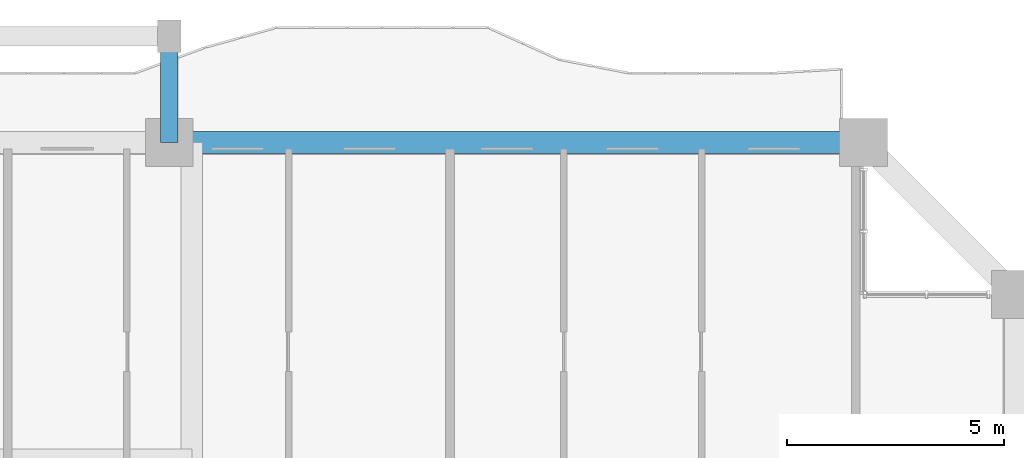
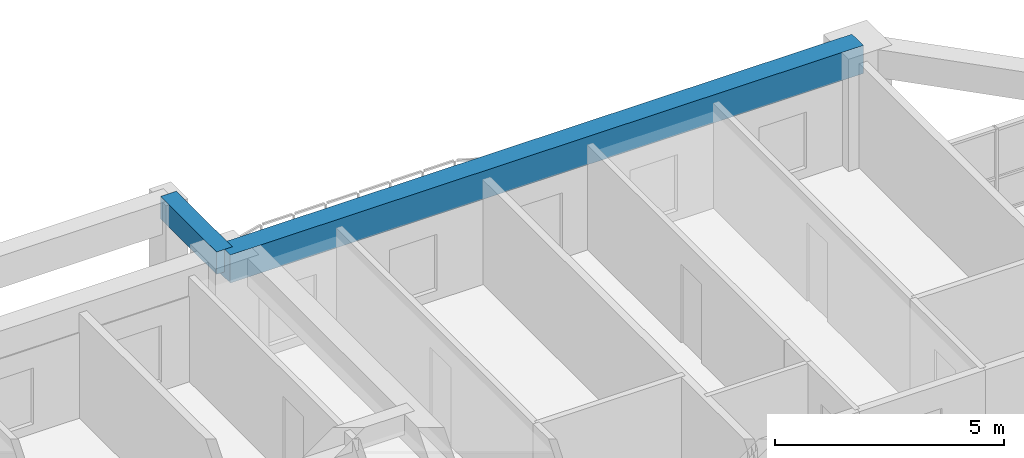
# One storey, part 11 of 27: 2 beams.
"""IFC4 building model written with IfcOpenShell, lengths in metres."""

from ifc_helpers import new_model, si_unit, direction, frame, origin, origin_2d, place, context, subcontext, project, spatial, rectangle, extrude, source, transform, mapped, material, material_profile, profile_set, type_object, element, save


model = new_model("IFC4")

# Units and contexts
model_context = context("Model", 3, precision=1e-05, world=origin(), true_north=direction((0.0, 1.0)))
body_context = subcontext(model_context, "Body", "Model", "MODEL_VIEW")
ifc_project = project(units=[si_unit("LENGTHUNIT", "METRE"), si_unit("AREAUNIT", "SQUARE_METRE"), si_unit("VOLUMEUNIT", "CUBIC_METRE"), si_unit("PLANEANGLEUNIT", "RADIAN"), si_unit("MASSUNIT", "GRAM", prefix="KILO")], contexts=[model_context])

# Site, building, storey
site_placement = place(None, origin())
site = spatial("IfcSite", under=ifc_project, at=site_placement, CompositionType="ELEMENT")
building_placement = place(site_placement, origin())
building = spatial("IfcBuilding", under=site, at=building_placement, Name="Saelheon Loggia Tower", CompositionType="ELEMENT")
storey_placement = place(building_placement, frame((0.0, 0.0, 43.39990234375)))
storey = spatial("IfcBuildingStorey", under=building, at=storey_placement, Name="L13", CompositionType="ELEMENT", Elevation=43.39990234375)

# Beams
ifc_material_1 = material(Name="Concrete C45/55", Category="concrete")
ifc_material_profile_1 = material_profile(ifc_material_1, rectangle(XDim=0.5, YDim=0.75, at=origin_2d()), Name="RC-500x750")
ifc_profile_set_1 = profile_set([ifc_material_profile_1], Name="Concrete C45/55")
beam_type_1 = type_object("IfcBeamType", Name="Beam_PerimGirder_RC500x750", PredefinedType="BEAM", material=ifc_profile_set_1)
shared_shape_1 = source(origin(), body_context, "Body", "SweptSolid", [
    extrude(rectangle(XDim=0.5, YDim=0.75, at=origin_2d()), origin(), (0.0, 0.0, 1.0), 16.0),
])
beam_1_placement = place(storey_placement, frame((60.5, 51.0, 2.625), z_axis=(-1.0, 0.0, 0.0), x_axis=(0.0, -1.0, 0.0)))
element("IfcBeam", 1, at=beam_1_placement, inside=storey, type_object=beam_type_1, Name="L13 Perimeter Frame Girder 09", PredefinedType="BEAM", context=body_context, shape_type="MappedRepresentation", body=[
    mapped(shared_shape_1, transform((0.0, 0.0, 0.0), scale=1.0)),
])
ifc_material_2 = material(Name="Precast Concrete C45/55", Category="concrete")
ifc_material_profile_2 = material_profile(ifc_material_2, rectangle(XDim=0.39990234375, YDim=0.60009765625, at=origin_2d()), Name="RC-400x600")
ifc_profile_set_2 = profile_set([ifc_material_profile_2], Name="Precast Concrete C45/55")
beam_type_2 = type_object("IfcBeamType", Name="Beam_LoggiaTie_RC400x600", PredefinedType="BEAM", material=ifc_profile_set_2)
shared_shape_2 = source(origin(), body_context, "Body", "SweptSolid", [
    extrude(rectangle(XDim=0.39990234375, YDim=0.60009765625, at=origin_2d()), origin(), (0.0, 0.0, 1.0), 2.449951171875),
])
beam_2_placement = place(storey_placement, frame((44.5, 51.0, 2.7001953125), z_axis=(0.0, 1.0, 0.0), x_axis=(-1.0, 0.0, 0.0)))
element("IfcBeam", 2, at=beam_2_placement, inside=storey, type_object=beam_type_2, Name="L13 Loggia Frame Tie Beam LP-N2", PredefinedType="BEAM", context=body_context, shape_type="MappedRepresentation", body=[
    mapped(shared_shape_2, transform((0.0, 0.0, 0.0), scale=1.0)),
])

save(model, "model.ifc")
